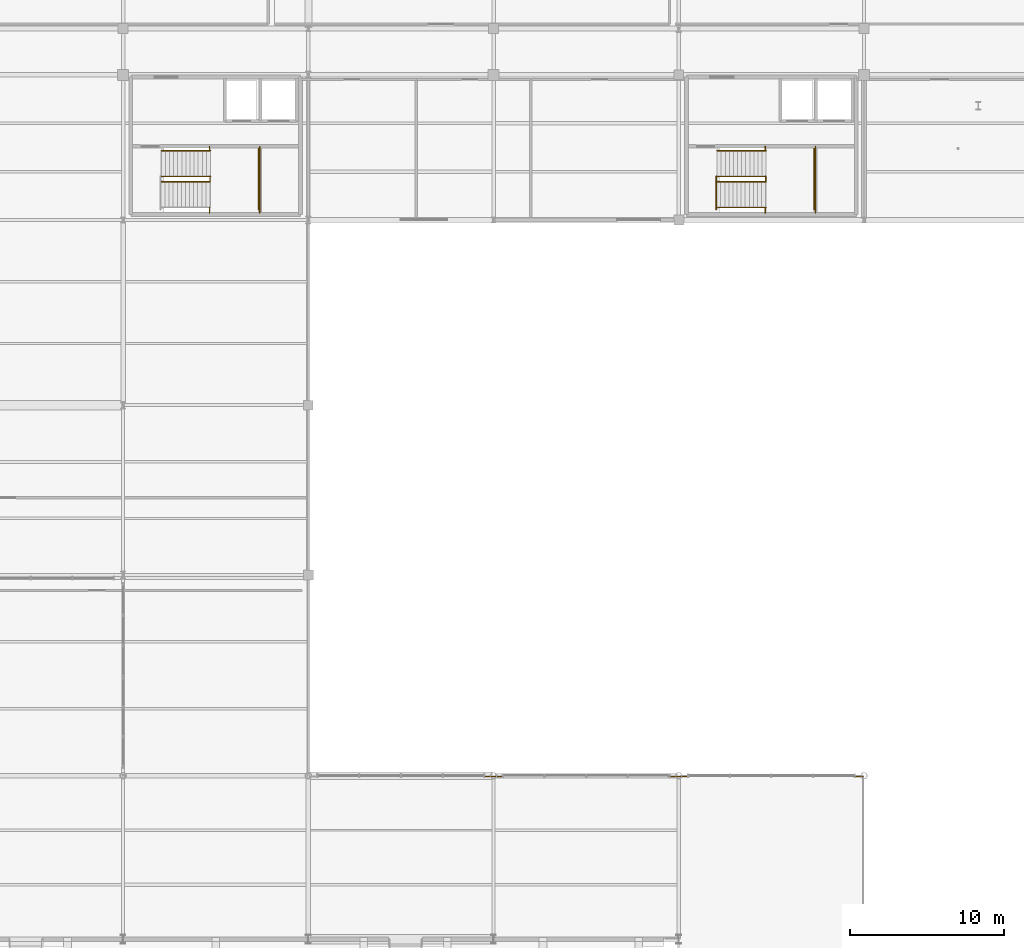
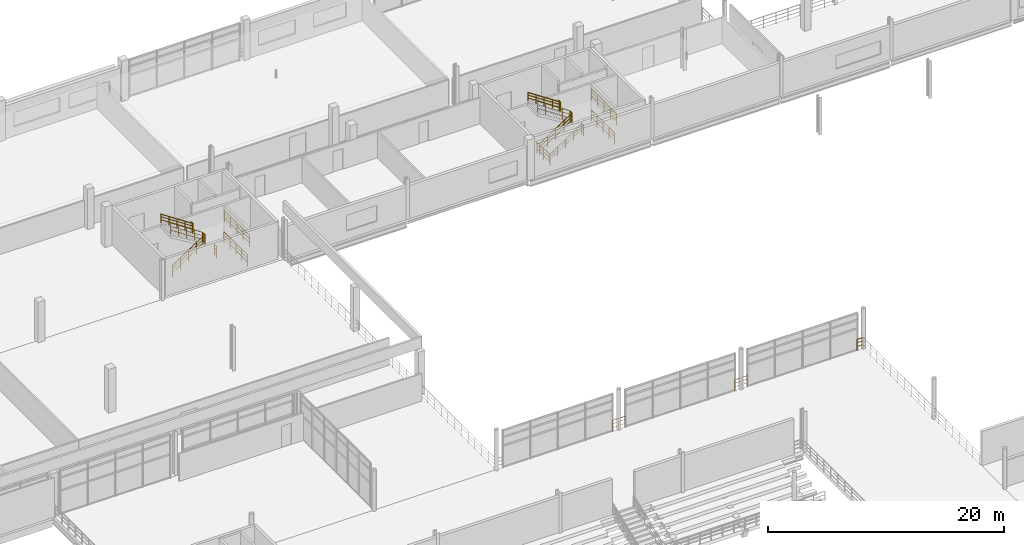
# One storey, part 83 of 89: 21 railings.
"""IFC4 building model written with IfcOpenShell, lengths in metres."""

from ifc_helpers import new_model, si_unit, direction, frame, origin, origin_2d, place, context, subcontext, project, spatial, circle, extrude, material, layer, layer_set, type_object, element, save


model = new_model("IFC4")

# Units and contexts
model_context = context("Model", 3, precision=1e-05, world=origin(), true_north=direction((0.0, 1.0)))
body_context = subcontext(model_context, "Body", "Model", "MODEL_VIEW")
ifc_project = project(units=[si_unit("LENGTHUNIT", "METRE"), si_unit("AREAUNIT", "SQUARE_METRE"), si_unit("VOLUMEUNIT", "CUBIC_METRE"), si_unit("PLANEANGLEUNIT", "RADIAN"), si_unit("MASSUNIT", "GRAM", prefix="KILO"), si_unit("THERMODYNAMICTEMPERATUREUNIT", "KELVIN"), si_unit("POWERUNIT", "WATT")], contexts=[model_context])

# Site, building, storey
site_placement = place(None, origin())
site = spatial("IfcSite", under=ifc_project, at=site_placement, CompositionType="ELEMENT")
building_placement = place(site_placement, origin())
building = spatial("IfcBuilding", under=site, at=building_placement, Name="Solmara Park Aquatics Centre", CompositionType="ELEMENT")
storey_placement = place(building_placement, frame((0.0, 0.0, 5.39990234375)))
storey = spatial("IfcBuildingStorey", under=building, at=storey_placement, Name="L01", CompositionType="ELEMENT", Elevation=5.39990234375)

# Railings
ifc_material_1 = material(Name="Brushed Marine-Grade Stainless Steel 316L Handrail", Category="steel")
ifc_layer_1 = layer(ifc_material_1, 0.044921875, Name="Brushed Marine-Grade Stainless Steel 316L Handrail")
ifc_layer_set_1 = layer_set([ifc_layer_1], Name="Brushed Marine-Grade Stainless Steel 316L Handrail")
railing_type_1 = type_object("IfcRailingType", Name="ARC-RL-HND090", PredefinedType="HANDRAIL", material=ifc_layer_set_1)
railing_1_placement = place(storey_placement, frame((54.260009765625, 113.090087890625, 2.26171875)))
element("IfcRailing", 1, at=railing_1_placement, inside=storey, type_object=railing_type_1, Name="ST-01 Protected Exit Stair (L01 to L02) Flight 2 Outer Handrail", PredefinedType="HANDRAIL", context=body_context, shape_type="SweptSolid", body=[
    extrude(circle(Radius=0.02392578125, at=origin_2d()), frame((0.0, 0.0, 0.89599609375), z_axis=(-0.834476838559, 0.0, 0.551043016387), x_axis=(0.0, -1.0, 0.0)), (0.0, 0.0, 1.0), 3.810791015625),
    extrude(circle(Radius=0.01416015625, at=origin_2d()), frame((0.0, 0.0, 0.322021484375), z_axis=(-0.834476838559, 0.0, 0.551043016387), x_axis=(0.0, -1.0, 0.0)), (0.0, 0.0, 1.0), 3.810791015625),
    extrude(circle(Radius=0.01416015625, at=origin_2d()), frame((0.0, 0.0, 0.62548828125), z_axis=(-0.834476838559, 0.0, 0.551043016387), x_axis=(0.0, -1.0, 0.0)), (0.0, 0.0, 1.0), 3.810791015625),
    extrude(circle(Radius=0.02099609375, at=origin_2d()), origin(), (0.0, 0.0, 1.0), 0.871826171875),
    extrude(circle(Radius=0.02099609375, at=origin_2d()), frame((-0.794921875, 0.0, 0.52490234375)), (0.0, 0.0, 1.0), 0.871826171875),
    extrude(circle(Radius=0.02099609375, at=origin_2d()), frame((-1.58984375, 0.0, 1.0498046875)), (0.0, 0.0, 1.0), 0.871826171875),
    extrude(circle(Radius=0.02099609375, at=origin_2d()), frame((-2.385009765625, 0.0, 1.574951171875)), (0.0, 0.0, 1.0), 0.871826171875),
    extrude(circle(Radius=0.02099609375, at=origin_2d()), frame((-3.179931640625, 0.0, 2.099853515625)), (0.0, 0.0, 1.0), 0.871826171875),
])
railing_2_placement = place(storey_placement, frame((87.050048828125, 109.409912109375, 0.16162109375)))
element("IfcRailing", 2, at=railing_2_placement, inside=storey, type_object=railing_type_1, Name="ST-02 Protected Exit Stair (L01 to L02) Flight 1 Outer Handrail", PredefinedType="HANDRAIL", context=body_context, shape_type="SweptSolid", body=[
    extrude(circle(Radius=0.02392578125, at=origin_2d()), frame((0.0, 0.0, 0.89599609375), z_axis=(0.834447378162, 0.0, 0.551087627405), x_axis=(0.0, 1.0, 0.0)), (0.0, 0.0, 1.0), 3.810791015625),
    extrude(circle(Radius=0.01416015625, at=origin_2d()), frame((0.0, 0.0, 0.322021484375), z_axis=(0.834447378162, 0.0, 0.551087627405), x_axis=(0.0, 1.0, 0.0)), (0.0, 0.0, 1.0), 3.810791015625),
    extrude(circle(Radius=0.01416015625, at=origin_2d()), frame((0.0, 0.0, 0.62548828125), z_axis=(0.834447378162, 0.0, 0.551087627405), x_axis=(0.0, 1.0, 0.0)), (0.0, 0.0, 1.0), 3.810791015625),
    extrude(circle(Radius=0.02099609375, at=origin_2d()), origin(), (0.0, 0.0, 1.0), 0.871826171875),
    extrude(circle(Radius=0.02099609375, at=origin_2d()), frame((0.794921875, 0.0, 0.52490234375)), (0.0, 0.0, 1.0), 0.871826171875),
    extrude(circle(Radius=0.02099609375, at=origin_2d()), frame((1.58984375, 0.0, 1.050048828125)), (0.0, 0.0, 1.0), 0.871826171875),
    extrude(circle(Radius=0.02099609375, at=origin_2d()), frame((2.385009765625, 0.0, 1.5751953125)), (0.0, 0.0, 1.0), 0.871826171875),
    extrude(circle(Radius=0.02099609375, at=origin_2d()), frame((3.179931640625, 0.0, 2.10009765625)), (0.0, 0.0, 1.0), 0.871826171875),
])
railing_3_placement = place(storey_placement, frame((90.260009765625, 113.090087890625, 2.26171875)))
element("IfcRailing", 3, at=railing_3_placement, inside=storey, type_object=railing_type_1, Name="ST-02 Protected Exit Stair (L01 to L02) Flight 2 Outer Handrail", PredefinedType="HANDRAIL", context=body_context, shape_type="SweptSolid", body=[
    extrude(circle(Radius=0.02392578125, at=origin_2d()), frame((0.0, 0.0, 0.89599609375), z_axis=(-0.834476838559, 0.0, 0.551043016387), x_axis=(0.0, -1.0, 0.0)), (0.0, 0.0, 1.0), 3.810791015625),
    extrude(circle(Radius=0.01416015625, at=origin_2d()), frame((0.0, 0.0, 0.322021484375), z_axis=(-0.834476838559, 0.0, 0.551043016387), x_axis=(0.0, -1.0, 0.0)), (0.0, 0.0, 1.0), 3.810791015625),
    extrude(circle(Radius=0.01416015625, at=origin_2d()), frame((0.0, 0.0, 0.62548828125), z_axis=(-0.834476838559, 0.0, 0.551043016387), x_axis=(0.0, -1.0, 0.0)), (0.0, 0.0, 1.0), 3.810791015625),
    extrude(circle(Radius=0.02099609375, at=origin_2d()), origin(), (0.0, 0.0, 1.0), 0.871826171875),
    extrude(circle(Radius=0.02099609375, at=origin_2d()), frame((-0.794921875, 0.0, 0.52490234375)), (0.0, 0.0, 1.0), 0.871826171875),
    extrude(circle(Radius=0.02099609375, at=origin_2d()), frame((-1.58984375, 0.0, 1.0498046875)), (0.0, 0.0, 1.0), 0.871826171875),
    extrude(circle(Radius=0.02099609375, at=origin_2d()), frame((-2.385009765625, 0.0, 1.574951171875)), (0.0, 0.0, 1.0), 0.871826171875),
    extrude(circle(Radius=0.02099609375, at=origin_2d()), frame((-3.179931640625, 0.0, 2.099853515625)), (0.0, 0.0, 1.0), 0.871826171875),
])
ifc_material_2 = material(Name="Toughened Glass and Stainless Steel Stand Guardrail", Category="steel")
ifc_layer_2 = layer(ifc_material_2, 0.06005859375, Name="Toughened Glass and Stainless Steel Stand Guardrail")
ifc_layer_set_2 = layer_set([ifc_layer_2], Name="Toughened Glass and Stainless Steel Stand Guardrail")
railing_type_2 = type_object("IfcRailingType", Name="ARC-RL-STD110", PredefinedType="GUARDRAIL", material=ifc_layer_set_2)
for number, where, name in (
    (4, (71.93994140625, 72.5400390625, 0.0), "L01 Slab Edge Guardrail 036"),
    (5, (83.93994140625, 72.5400390625, 0.0), "L01 Slab Edge Guardrail 037"),
):
    element("IfcRailing", number, at=place(storey_placement, frame(where)), inside=storey, type_object=railing_type_2, Name=name, PredefinedType="GUARDRAIL", context=body_context, shape_type="SweptSolid", body=[
        extrude(circle(Radius=0.02392578125, at=origin_2d()), frame((0.0, 0.0, 1.15576171875), z_axis=(1.0, 0.0, 0.0), x_axis=(0.0, 1.0, 0.0)), (0.0, 0.0, 1.0), 1.280029296875),
        extrude(circle(Radius=0.01416015625, at=origin_2d()), frame((0.0, 0.0, 0.4130859375), z_axis=(1.0, 0.0, 0.0), x_axis=(0.0, 1.0, 0.0)), (0.0, 0.0, 1.0), 1.280029296875),
        extrude(circle(Radius=0.01416015625, at=origin_2d()), frame((0.0, 0.0, 0.80224609375), z_axis=(1.0, 0.0, 0.0), x_axis=(0.0, 1.0, 0.0)), (0.0, 0.0, 1.0), 1.280029296875),
        extrude(circle(Radius=0.02099609375, at=origin_2d()), origin(), (0.0, 0.0, 1.0), 1.1318359375),
        extrude(circle(Radius=0.02099609375, at=origin_2d()), frame((0.64013671875, 0.0, 0.0)), (0.0, 0.0, 1.0), 1.1318359375),
        extrude(circle(Radius=0.02099609375, at=origin_2d()), frame((1.280029296875, 0.0, 0.0)), (0.0, 0.0, 1.0), 1.1318359375),
    ])
railing_4_placement = place(storey_placement, frame((95.93994140625, 72.5400390625, 0.0)))
element("IfcRailing", 6, at=railing_4_placement, inside=storey, type_object=railing_type_2, Name="L01 Slab Edge Guardrail 038", PredefinedType="GUARDRAIL", context=body_context, shape_type="SweptSolid", body=[
    extrude(circle(Radius=0.02392578125, at=origin_2d()), frame((0.0, 0.0, 1.15576171875), z_axis=(1.0, 0.0, 0.0), x_axis=(0.0, 1.0, 0.0)), (0.0, 0.0, 1.0), 0.60009765625),
    extrude(circle(Radius=0.01416015625, at=origin_2d()), frame((0.0, 0.0, 0.4130859375), z_axis=(1.0, 0.0, 0.0), x_axis=(0.0, 1.0, 0.0)), (0.0, 0.0, 1.0), 0.60009765625),
    extrude(circle(Radius=0.01416015625, at=origin_2d()), frame((0.0, 0.0, 0.80224609375), z_axis=(1.0, 0.0, 0.0), x_axis=(0.0, 1.0, 0.0)), (0.0, 0.0, 1.0), 0.60009765625),
    extrude(circle(Radius=0.02099609375, at=origin_2d()), origin(), (0.0, 0.0, 1.0), 1.1318359375),
    extrude(circle(Radius=0.02099609375, at=origin_2d()), frame((0.60009765625, 0.0, 0.0)), (0.0, 0.0, 1.0), 1.1318359375),
])
ifc_material_3 = material(Name="Brushed Stainless Steel Guardrail", Category="steel")
ifc_layer_3 = layer(ifc_material_3, 0.050048828125, Name="Brushed Stainless Steel Guardrail")
ifc_layer_set_3 = layer_set([ifc_layer_3], Name="Brushed Stainless Steel Guardrail")
railing_type_3 = type_object("IfcRailingType", Name="ARC-RL-STR110", PredefinedType="GUARDRAIL", material=ifc_layer_set_3)
railing_5_placement = place(storey_placement, frame((57.3798828125, 109.27001953125, 0.0)))
element("IfcRailing", 7, at=railing_5_placement, inside=storey, type_object=railing_type_3, Name="ST-01 Protected Exit Stair (L00 to L01) Far Well Edge Guardrail", PredefinedType="GUARDRAIL", context=body_context, shape_type="SweptSolid", body=[
    extrude(circle(Radius=0.02392578125, at=origin_2d()), frame((0.0, 0.0, 1.15576171875), z_axis=(0.0, 1.0, 0.0), x_axis=(-1.0, 0.0, 0.0)), (0.0, 0.0, 1.0), 3.9599609375),
    extrude(circle(Radius=0.01416015625, at=origin_2d()), frame((0.0, 0.0, 0.4130859375), z_axis=(0.0, 1.0, 0.0), x_axis=(-1.0, 0.0, 0.0)), (0.0, 0.0, 1.0), 3.9599609375),
    extrude(circle(Radius=0.01416015625, at=origin_2d()), frame((0.0, 0.0, 0.80224609375), z_axis=(0.0, 1.0, 0.0), x_axis=(-1.0, 0.0, 0.0)), (0.0, 0.0, 1.0), 3.9599609375),
    extrude(circle(Radius=0.02099609375, at=origin_2d()), origin(), (0.0, 0.0, 1.0), 1.1318359375),
    extrude(circle(Radius=0.02099609375, at=origin_2d()), frame((0.0, 0.989990234375, 0.0)), (0.0, 0.0, 1.0), 1.1318359375),
    extrude(circle(Radius=0.02099609375, at=origin_2d()), frame((0.0, 1.97998046875, 0.0)), (0.0, 0.0, 1.0), 1.1318359375),
    extrude(circle(Radius=0.02099609375, at=origin_2d()), frame((0.0, 2.969970703125, 0.0)), (0.0, 0.0, 1.0), 1.1318359375),
    extrude(circle(Radius=0.02099609375, at=origin_2d()), frame((0.0, 3.9599609375, 0.0)), (0.0, 0.0, 1.0), 1.1318359375),
])
railing_6_placement = place(storey_placement, frame((51.050048828125, 111.080078125, 0.0)))
element("IfcRailing", 8, at=railing_6_placement, inside=storey, type_object=railing_type_3, Name="ST-01 Protected Exit Stair (L01 to L02) Flight 1 Inner Guardrail", PredefinedType="GUARDRAIL", context=body_context, shape_type="SweptSolid", body=[
    extrude(circle(Radius=0.02392578125, at=origin_2d()), frame((0.0, 0.0, 1.15576171875), z_axis=(0.834447378162, 0.0, 0.551087627405), x_axis=(0.0, 1.0, 0.0)), (0.0, 0.0, 1.0), 3.810791015625),
    extrude(circle(Radius=0.01416015625, at=origin_2d()), frame((0.0, 0.0, 0.4130859375), z_axis=(0.834447378162, 0.0, 0.551087627405), x_axis=(0.0, 1.0, 0.0)), (0.0, 0.0, 1.0), 3.810791015625),
    extrude(circle(Radius=0.01416015625, at=origin_2d()), frame((0.0, 0.0, 0.80224609375), z_axis=(0.834447378162, 0.0, 0.551087627405), x_axis=(0.0, 1.0, 0.0)), (0.0, 0.0, 1.0), 3.810791015625),
    extrude(circle(Radius=0.02099609375, at=origin_2d()), origin(), (0.0, 0.0, 1.0), 1.1318359375),
    extrude(circle(Radius=0.02099609375, at=origin_2d()), frame((0.794921875, 0.0, 0.52490234375)), (0.0, 0.0, 1.0), 1.1318359375),
    extrude(circle(Radius=0.02099609375, at=origin_2d()), frame((1.58984375, 0.0, 1.050048828125)), (0.0, 0.0, 1.0), 1.1318359375),
    extrude(circle(Radius=0.02099609375, at=origin_2d()), frame((2.385009765625, 0.0, 1.5751953125)), (0.0, 0.0, 1.0), 1.1318359375),
    extrude(circle(Radius=0.02099609375, at=origin_2d()), frame((3.179931640625, 0.0, 2.10009765625)), (0.0, 0.0, 1.0), 1.1318359375),
])
railing_7_placement = place(storey_placement, frame((54.260009765625, 111.419921875, 2.10009765625)))
element("IfcRailing", 9, at=railing_7_placement, inside=storey, type_object=railing_type_3, Name="ST-01 Protected Exit Stair (L01 to L02) Flight 2 Inner Guardrail", PredefinedType="GUARDRAIL", context=body_context, shape_type="SweptSolid", body=[
    extrude(circle(Radius=0.02392578125, at=origin_2d()), frame((0.0, 0.0, 1.15576171875), z_axis=(-0.834447378162, 0.0, 0.551087627405), x_axis=(0.0, -1.0, 0.0)), (0.0, 0.0, 1.0), 3.810791015625),
    extrude(circle(Radius=0.01416015625, at=origin_2d()), frame((0.0, 0.0, 0.4130859375), z_axis=(-0.834447378162, 0.0, 0.551087627405), x_axis=(0.0, -1.0, 0.0)), (0.0, 0.0, 1.0), 3.810791015625),
    extrude(circle(Radius=0.01416015625, at=origin_2d()), frame((0.0, 0.0, 0.80224609375), z_axis=(-0.834447378162, 0.0, 0.551087627405), x_axis=(0.0, -1.0, 0.0)), (0.0, 0.0, 1.0), 3.810791015625),
    extrude(circle(Radius=0.02099609375, at=origin_2d()), origin(), (0.0, 0.0, 1.0), 1.1318359375),
    extrude(circle(Radius=0.02099609375, at=origin_2d()), frame((-0.794921875, 0.0, 0.52490234375)), (0.0, 0.0, 1.0), 1.1318359375),
    extrude(circle(Radius=0.02099609375, at=origin_2d()), frame((-1.58984375, 0.0, 1.050048828125)), (0.0, 0.0, 1.0), 1.1318359375),
    extrude(circle(Radius=0.02099609375, at=origin_2d()), frame((-2.385009765625, 0.0, 1.5751953125)), (0.0, 0.0, 1.0), 1.1318359375),
    extrude(circle(Radius=0.02099609375, at=origin_2d()), frame((-3.179931640625, 0.0, 2.10009765625)), (0.0, 0.0, 1.0), 1.1318359375),
])
railing_8_placement = place(storey_placement, frame((54.22998046875, 111.06005859375, 2.10009765625)))
element("IfcRailing", 10, at=railing_8_placement, inside=storey, type_object=railing_type_3, Name="ST-01 Protected Exit Stair (L01 to L02) Half-Landing Well Guardrail", PredefinedType="GUARDRAIL", context=body_context, shape_type="SweptSolid", body=[
    extrude(circle(Radius=0.02392578125, at=origin_2d()), frame((0.0, 0.0, 1.15576171875), z_axis=(0.0, 1.0, 0.0), x_axis=(-1.0, 0.0, 0.0)), (0.0, 0.0, 1.0), 0.3798828125),
    extrude(circle(Radius=0.01416015625, at=origin_2d()), frame((0.0, 0.0, 0.4130859375), z_axis=(0.0, 1.0, 0.0), x_axis=(-1.0, 0.0, 0.0)), (0.0, 0.0, 1.0), 0.3798828125),
    extrude(circle(Radius=0.01416015625, at=origin_2d()), frame((0.0, 0.0, 0.80224609375), z_axis=(0.0, 1.0, 0.0), x_axis=(-1.0, 0.0, 0.0)), (0.0, 0.0, 1.0), 0.3798828125),
    extrude(circle(Radius=0.02099609375, at=origin_2d()), origin(), (0.0, 0.0, 1.0), 1.1318359375),
    extrude(circle(Radius=0.02099609375, at=origin_2d()), frame((0.0, 0.3798828125, 0.0)), (0.0, 0.0, 1.0), 1.1318359375),
])
railing_9_placement = place(storey_placement, frame((54.199951171875, 109.0400390625, 2.10009765625)))
element("IfcRailing", 11, at=railing_9_placement, inside=storey, type_object=railing_type_3, Name="ST-01 Protected Exit Stair (L01 to L02) Half-Landing South Slot Guardrail", PredefinedType="GUARDRAIL", context=body_context, shape_type="SweptSolid", body=[
    extrude(circle(Radius=0.02392578125, at=origin_2d()), frame((0.0, 0.0, 1.15576171875), z_axis=(0.0, 1.0, 0.0), x_axis=(-1.0, 0.0, 0.0)), (0.0, 0.0, 1.0), 0.35986328125),
    extrude(circle(Radius=0.01416015625, at=origin_2d()), frame((0.0, 0.0, 0.4130859375), z_axis=(0.0, 1.0, 0.0), x_axis=(-1.0, 0.0, 0.0)), (0.0, 0.0, 1.0), 0.35986328125),
    extrude(circle(Radius=0.01416015625, at=origin_2d()), frame((0.0, 0.0, 0.80224609375), z_axis=(0.0, 1.0, 0.0), x_axis=(-1.0, 0.0, 0.0)), (0.0, 0.0, 1.0), 0.35986328125),
    extrude(circle(Radius=0.02099609375, at=origin_2d()), origin(), (0.0, 0.0, 1.0), 1.1318359375),
    extrude(circle(Radius=0.02099609375, at=origin_2d()), frame((0.0, 0.35986328125, 0.0)), (0.0, 0.0, 1.0), 1.1318359375),
])
railing_10_placement = place(storey_placement, frame((54.199951171875, 113.10009765625, 2.10009765625)))
element("IfcRailing", 12, at=railing_10_placement, inside=storey, type_object=railing_type_3, Name="ST-01 Protected Exit Stair (L01 to L02) Half-Landing North Slot Guardrail", PredefinedType="GUARDRAIL", context=body_context, shape_type="SweptSolid", body=[
    extrude(circle(Radius=0.02392578125, at=origin_2d()), frame((0.0, 0.0, 1.15576171875), z_axis=(0.0, 1.0, 0.0), x_axis=(-1.0, 0.0, 0.0)), (0.0, 0.0, 1.0), 0.260009765625),
    extrude(circle(Radius=0.01416015625, at=origin_2d()), frame((0.0, 0.0, 0.4130859375), z_axis=(0.0, 1.0, 0.0), x_axis=(-1.0, 0.0, 0.0)), (0.0, 0.0, 1.0), 0.260009765625),
    extrude(circle(Radius=0.01416015625, at=origin_2d()), frame((0.0, 0.0, 0.80224609375), z_axis=(0.0, 1.0, 0.0), x_axis=(-1.0, 0.0, 0.0)), (0.0, 0.0, 1.0), 0.260009765625),
    extrude(circle(Radius=0.02099609375, at=origin_2d()), origin(), (0.0, 0.0, 1.0), 1.1318359375),
    extrude(circle(Radius=0.02099609375, at=origin_2d()), frame((0.0, 0.260009765625, 0.0)), (0.0, 0.0, 1.0), 1.1318359375),
])
railing_11_placement = place(storey_placement, frame((57.449951171875, 109.06005859375, 2.10009765625)))
element("IfcRailing", 13, at=railing_11_placement, inside=storey, type_object=railing_type_3, Name="ST-01 Protected Exit Stair (L01 to L02) Half-Landing Outer Guardrail", PredefinedType="GUARDRAIL", context=body_context, shape_type="SweptSolid", body=[
    extrude(circle(Radius=0.02392578125, at=origin_2d()), frame((0.0, 0.0, 1.15576171875), z_axis=(0.0, 1.0, 0.0), x_axis=(-1.0, 0.0, 0.0)), (0.0, 0.0, 1.0), 4.280029296875),
    extrude(circle(Radius=0.01416015625, at=origin_2d()), frame((0.0, 0.0, 0.4130859375), z_axis=(0.0, 1.0, 0.0), x_axis=(-1.0, 0.0, 0.0)), (0.0, 0.0, 1.0), 4.280029296875),
    extrude(circle(Radius=0.01416015625, at=origin_2d()), frame((0.0, 0.0, 0.80224609375), z_axis=(0.0, 1.0, 0.0), x_axis=(-1.0, 0.0, 0.0)), (0.0, 0.0, 1.0), 4.280029296875),
    extrude(circle(Radius=0.02099609375, at=origin_2d()), origin(), (0.0, 0.0, 1.0), 1.1318359375),
    extrude(circle(Radius=0.02099609375, at=origin_2d()), frame((0.0, 1.070068359375, 0.0)), (0.0, 0.0, 1.0), 1.1318359375),
    extrude(circle(Radius=0.02099609375, at=origin_2d()), frame((0.0, 2.14013671875, 0.0)), (0.0, 0.0, 1.0), 1.1318359375),
    extrude(circle(Radius=0.02099609375, at=origin_2d()), frame((0.0, 3.2099609375, 0.0)), (0.0, 0.0, 1.0), 1.1318359375),
    extrude(circle(Radius=0.02099609375, at=origin_2d()), frame((0.0, 4.280029296875, 0.0)), (0.0, 0.0, 1.0), 1.1318359375),
])
railing_12_placement = place(storey_placement, frame((87.030029296875, 109.27001953125, 0.0)))
element("IfcRailing", 14, at=railing_12_placement, inside=storey, type_object=railing_type_3, Name="ST-02 Protected Exit Stair (L00 to L01) Arrival Well Guardrail", PredefinedType="GUARDRAIL", context=body_context, shape_type="SweptSolid", body=[
    extrude(circle(Radius=0.02392578125, at=origin_2d()), frame((0.0, 0.0, 1.15576171875), z_axis=(0.0, 1.0, 0.0), x_axis=(-1.0, 0.0, 0.0)), (0.0, 0.0, 1.0), 2.169921875),
    extrude(circle(Radius=0.01416015625, at=origin_2d()), frame((0.0, 0.0, 0.4130859375), z_axis=(0.0, 1.0, 0.0), x_axis=(-1.0, 0.0, 0.0)), (0.0, 0.0, 1.0), 2.169921875),
    extrude(circle(Radius=0.01416015625, at=origin_2d()), frame((0.0, 0.0, 0.80224609375), z_axis=(0.0, 1.0, 0.0), x_axis=(-1.0, 0.0, 0.0)), (0.0, 0.0, 1.0), 2.169921875),
    extrude(circle(Radius=0.02099609375, at=origin_2d()), origin(), (0.0, 0.0, 1.0), 1.1318359375),
    extrude(circle(Radius=0.02099609375, at=origin_2d()), frame((0.0, 1.0849609375, 0.0)), (0.0, 0.0, 1.0), 1.1318359375),
    extrude(circle(Radius=0.02099609375, at=origin_2d()), frame((0.0, 2.169921875, 0.0)), (0.0, 0.0, 1.0), 1.1318359375),
])
railing_13_placement = place(storey_placement, frame((93.3798828125, 109.27001953125, 0.0)))
element("IfcRailing", 15, at=railing_13_placement, inside=storey, type_object=railing_type_3, Name="ST-02 Protected Exit Stair (L00 to L01) Far Well Edge Guardrail", PredefinedType="GUARDRAIL", context=body_context, shape_type="SweptSolid", body=[
    extrude(circle(Radius=0.02392578125, at=origin_2d()), frame((0.0, 0.0, 1.15576171875), z_axis=(0.0, 1.0, 0.0), x_axis=(-1.0, 0.0, 0.0)), (0.0, 0.0, 1.0), 3.9599609375),
    extrude(circle(Radius=0.01416015625, at=origin_2d()), frame((0.0, 0.0, 0.4130859375), z_axis=(0.0, 1.0, 0.0), x_axis=(-1.0, 0.0, 0.0)), (0.0, 0.0, 1.0), 3.9599609375),
    extrude(circle(Radius=0.01416015625, at=origin_2d()), frame((0.0, 0.0, 0.80224609375), z_axis=(0.0, 1.0, 0.0), x_axis=(-1.0, 0.0, 0.0)), (0.0, 0.0, 1.0), 3.9599609375),
    extrude(circle(Radius=0.02099609375, at=origin_2d()), origin(), (0.0, 0.0, 1.0), 1.1318359375),
    extrude(circle(Radius=0.02099609375, at=origin_2d()), frame((0.0, 0.989990234375, 0.0)), (0.0, 0.0, 1.0), 1.1318359375),
    extrude(circle(Radius=0.02099609375, at=origin_2d()), frame((0.0, 1.97998046875, 0.0)), (0.0, 0.0, 1.0), 1.1318359375),
    extrude(circle(Radius=0.02099609375, at=origin_2d()), frame((0.0, 2.969970703125, 0.0)), (0.0, 0.0, 1.0), 1.1318359375),
    extrude(circle(Radius=0.02099609375, at=origin_2d()), frame((0.0, 3.9599609375, 0.0)), (0.0, 0.0, 1.0), 1.1318359375),
])
railing_14_placement = place(storey_placement, frame((87.050048828125, 111.080078125, 0.0)))
element("IfcRailing", 16, at=railing_14_placement, inside=storey, type_object=railing_type_3, Name="ST-02 Protected Exit Stair (L01 to L02) Flight 1 Inner Guardrail", PredefinedType="GUARDRAIL", context=body_context, shape_type="SweptSolid", body=[
    extrude(circle(Radius=0.02392578125, at=origin_2d()), frame((0.0, 0.0, 1.15576171875), z_axis=(0.834447378162, 0.0, 0.551087627405), x_axis=(0.0, 1.0, 0.0)), (0.0, 0.0, 1.0), 3.810791015625),
    extrude(circle(Radius=0.01416015625, at=origin_2d()), frame((0.0, 0.0, 0.4130859375), z_axis=(0.834447378162, 0.0, 0.551087627405), x_axis=(0.0, 1.0, 0.0)), (0.0, 0.0, 1.0), 3.810791015625),
    extrude(circle(Radius=0.01416015625, at=origin_2d()), frame((0.0, 0.0, 0.80224609375), z_axis=(0.834447378162, 0.0, 0.551087627405), x_axis=(0.0, 1.0, 0.0)), (0.0, 0.0, 1.0), 3.810791015625),
    extrude(circle(Radius=0.02099609375, at=origin_2d()), origin(), (0.0, 0.0, 1.0), 1.1318359375),
    extrude(circle(Radius=0.02099609375, at=origin_2d()), frame((0.794921875, 0.0, 0.52490234375)), (0.0, 0.0, 1.0), 1.1318359375),
    extrude(circle(Radius=0.02099609375, at=origin_2d()), frame((1.58984375, 0.0, 1.050048828125)), (0.0, 0.0, 1.0), 1.1318359375),
    extrude(circle(Radius=0.02099609375, at=origin_2d()), frame((2.385009765625, 0.0, 1.5751953125)), (0.0, 0.0, 1.0), 1.1318359375),
    extrude(circle(Radius=0.02099609375, at=origin_2d()), frame((3.179931640625, 0.0, 2.10009765625)), (0.0, 0.0, 1.0), 1.1318359375),
])
railing_15_placement = place(storey_placement, frame((90.260009765625, 111.419921875, 2.10009765625)))
element("IfcRailing", 17, at=railing_15_placement, inside=storey, type_object=railing_type_3, Name="ST-02 Protected Exit Stair (L01 to L02) Flight 2 Inner Guardrail", PredefinedType="GUARDRAIL", context=body_context, shape_type="SweptSolid", body=[
    extrude(circle(Radius=0.02392578125, at=origin_2d()), frame((0.0, 0.0, 1.15576171875), z_axis=(-0.834447378162, 0.0, 0.551087627405), x_axis=(0.0, -1.0, 0.0)), (0.0, 0.0, 1.0), 3.810791015625),
    extrude(circle(Radius=0.01416015625, at=origin_2d()), frame((0.0, 0.0, 0.4130859375), z_axis=(-0.834447378162, 0.0, 0.551087627405), x_axis=(0.0, -1.0, 0.0)), (0.0, 0.0, 1.0), 3.810791015625),
    extrude(circle(Radius=0.01416015625, at=origin_2d()), frame((0.0, 0.0, 0.80224609375), z_axis=(-0.834447378162, 0.0, 0.551087627405), x_axis=(0.0, -1.0, 0.0)), (0.0, 0.0, 1.0), 3.810791015625),
    extrude(circle(Radius=0.02099609375, at=origin_2d()), origin(), (0.0, 0.0, 1.0), 1.1318359375),
    extrude(circle(Radius=0.02099609375, at=origin_2d()), frame((-0.794921875, 0.0, 0.52490234375)), (0.0, 0.0, 1.0), 1.1318359375),
    extrude(circle(Radius=0.02099609375, at=origin_2d()), frame((-1.58984375, 0.0, 1.050048828125)), (0.0, 0.0, 1.0), 1.1318359375),
    extrude(circle(Radius=0.02099609375, at=origin_2d()), frame((-2.385009765625, 0.0, 1.5751953125)), (0.0, 0.0, 1.0), 1.1318359375),
    extrude(circle(Radius=0.02099609375, at=origin_2d()), frame((-3.179931640625, 0.0, 2.10009765625)), (0.0, 0.0, 1.0), 1.1318359375),
])
railing_16_placement = place(storey_placement, frame((90.22998046875, 111.06005859375, 2.10009765625)))
element("IfcRailing", 18, at=railing_16_placement, inside=storey, type_object=railing_type_3, Name="ST-02 Protected Exit Stair (L01 to L02) Half-Landing Well Guardrail", PredefinedType="GUARDRAIL", context=body_context, shape_type="SweptSolid", body=[
    extrude(circle(Radius=0.02392578125, at=origin_2d()), frame((0.0, 0.0, 1.15576171875), z_axis=(0.0, 1.0, 0.0), x_axis=(-1.0, 0.0, 0.0)), (0.0, 0.0, 1.0), 0.3798828125),
    extrude(circle(Radius=0.01416015625, at=origin_2d()), frame((0.0, 0.0, 0.4130859375), z_axis=(0.0, 1.0, 0.0), x_axis=(-1.0, 0.0, 0.0)), (0.0, 0.0, 1.0), 0.3798828125),
    extrude(circle(Radius=0.01416015625, at=origin_2d()), frame((0.0, 0.0, 0.80224609375), z_axis=(0.0, 1.0, 0.0), x_axis=(-1.0, 0.0, 0.0)), (0.0, 0.0, 1.0), 0.3798828125),
    extrude(circle(Radius=0.02099609375, at=origin_2d()), origin(), (0.0, 0.0, 1.0), 1.1318359375),
    extrude(circle(Radius=0.02099609375, at=origin_2d()), frame((0.0, 0.3798828125, 0.0)), (0.0, 0.0, 1.0), 1.1318359375),
])
railing_17_placement = place(storey_placement, frame((90.199951171875, 109.0400390625, 2.10009765625)))
element("IfcRailing", 19, at=railing_17_placement, inside=storey, type_object=railing_type_3, Name="ST-02 Protected Exit Stair (L01 to L02) Half-Landing South Slot Guardrail", PredefinedType="GUARDRAIL", context=body_context, shape_type="SweptSolid", body=[
    extrude(circle(Radius=0.02392578125, at=origin_2d()), frame((0.0, 0.0, 1.15576171875), z_axis=(0.0, 1.0, 0.0), x_axis=(-1.0, 0.0, 0.0)), (0.0, 0.0, 1.0), 0.35986328125),
    extrude(circle(Radius=0.01416015625, at=origin_2d()), frame((0.0, 0.0, 0.4130859375), z_axis=(0.0, 1.0, 0.0), x_axis=(-1.0, 0.0, 0.0)), (0.0, 0.0, 1.0), 0.35986328125),
    extrude(circle(Radius=0.01416015625, at=origin_2d()), frame((0.0, 0.0, 0.80224609375), z_axis=(0.0, 1.0, 0.0), x_axis=(-1.0, 0.0, 0.0)), (0.0, 0.0, 1.0), 0.35986328125),
    extrude(circle(Radius=0.02099609375, at=origin_2d()), origin(), (0.0, 0.0, 1.0), 1.1318359375),
    extrude(circle(Radius=0.02099609375, at=origin_2d()), frame((0.0, 0.35986328125, 0.0)), (0.0, 0.0, 1.0), 1.1318359375),
])
railing_18_placement = place(storey_placement, frame((90.199951171875, 113.10009765625, 2.10009765625)))
element("IfcRailing", 20, at=railing_18_placement, inside=storey, type_object=railing_type_3, Name="ST-02 Protected Exit Stair (L01 to L02) Half-Landing North Slot Guardrail", PredefinedType="GUARDRAIL", context=body_context, shape_type="SweptSolid", body=[
    extrude(circle(Radius=0.02392578125, at=origin_2d()), frame((0.0, 0.0, 1.15576171875), z_axis=(0.0, 1.0, 0.0), x_axis=(-1.0, 0.0, 0.0)), (0.0, 0.0, 1.0), 0.260009765625),
    extrude(circle(Radius=0.01416015625, at=origin_2d()), frame((0.0, 0.0, 0.4130859375), z_axis=(0.0, 1.0, 0.0), x_axis=(-1.0, 0.0, 0.0)), (0.0, 0.0, 1.0), 0.260009765625),
    extrude(circle(Radius=0.01416015625, at=origin_2d()), frame((0.0, 0.0, 0.80224609375), z_axis=(0.0, 1.0, 0.0), x_axis=(-1.0, 0.0, 0.0)), (0.0, 0.0, 1.0), 0.260009765625),
    extrude(circle(Radius=0.02099609375, at=origin_2d()), origin(), (0.0, 0.0, 1.0), 1.1318359375),
    extrude(circle(Radius=0.02099609375, at=origin_2d()), frame((0.0, 0.260009765625, 0.0)), (0.0, 0.0, 1.0), 1.1318359375),
])
railing_19_placement = place(storey_placement, frame((93.449951171875, 109.06005859375, 2.10009765625)))
element("IfcRailing", 21, at=railing_19_placement, inside=storey, type_object=railing_type_3, Name="ST-02 Protected Exit Stair (L01 to L02) Half-Landing Outer Guardrail", PredefinedType="GUARDRAIL", context=body_context, shape_type="SweptSolid", body=[
    extrude(circle(Radius=0.02392578125, at=origin_2d()), frame((0.0, 0.0, 1.15576171875), z_axis=(0.0, 1.0, 0.0), x_axis=(-1.0, 0.0, 0.0)), (0.0, 0.0, 1.0), 4.280029296875),
    extrude(circle(Radius=0.01416015625, at=origin_2d()), frame((0.0, 0.0, 0.4130859375), z_axis=(0.0, 1.0, 0.0), x_axis=(-1.0, 0.0, 0.0)), (0.0, 0.0, 1.0), 4.280029296875),
    extrude(circle(Radius=0.01416015625, at=origin_2d()), frame((0.0, 0.0, 0.80224609375), z_axis=(0.0, 1.0, 0.0), x_axis=(-1.0, 0.0, 0.0)), (0.0, 0.0, 1.0), 4.280029296875),
    extrude(circle(Radius=0.02099609375, at=origin_2d()), origin(), (0.0, 0.0, 1.0), 1.1318359375),
    extrude(circle(Radius=0.02099609375, at=origin_2d()), frame((0.0, 1.070068359375, 0.0)), (0.0, 0.0, 1.0), 1.1318359375),
    extrude(circle(Radius=0.02099609375, at=origin_2d()), frame((0.0, 2.14013671875, 0.0)), (0.0, 0.0, 1.0), 1.1318359375),
    extrude(circle(Radius=0.02099609375, at=origin_2d()), frame((0.0, 3.2099609375, 0.0)), (0.0, 0.0, 1.0), 1.1318359375),
    extrude(circle(Radius=0.02099609375, at=origin_2d()), frame((0.0, 4.280029296875, 0.0)), (0.0, 0.0, 1.0), 1.1318359375),
])

save(model, "model.ifc")
